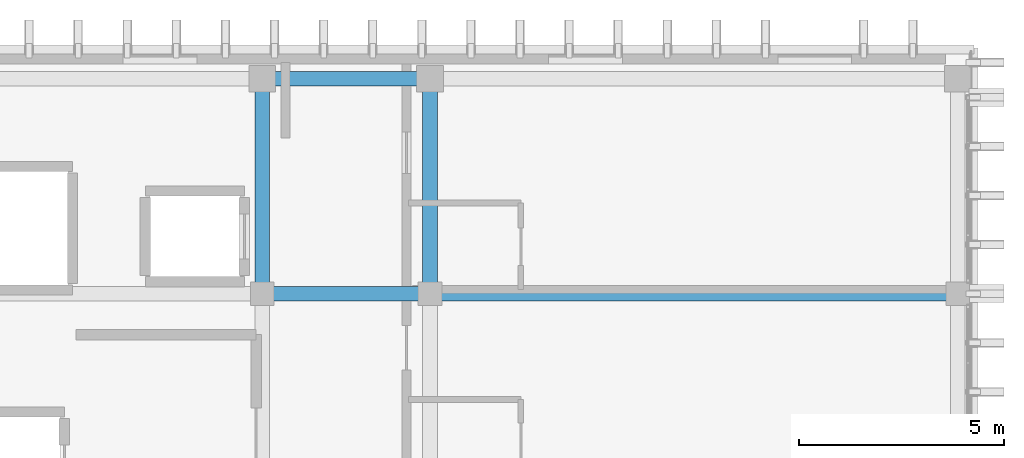
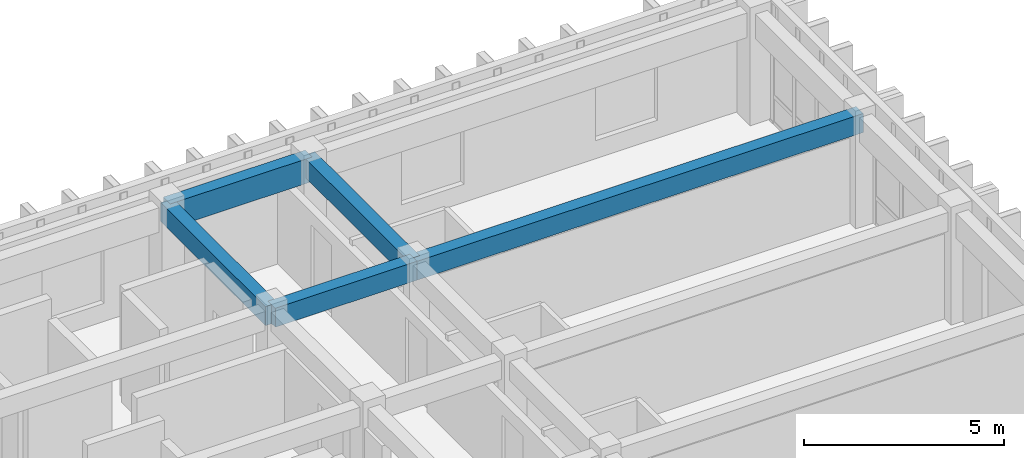
# One storey, part 36 of 49: 5 beams.
"""IFC4 building model written with IfcOpenShell, lengths in metres."""

from ifc_helpers import new_model, si_unit, direction, frame, origin, origin_2d, place, context, subcontext, project, spatial, rectangle, extrude, material, material_profile, profile_set, type_object, element, save


model = new_model("IFC4")

# Units and contexts
model_context = context("Model", 3, precision=1e-05, world=origin(), true_north=direction((0.0, 1.0)))
body_context = subcontext(model_context, "Body", "Model", "MODEL_VIEW")
ifc_project = project(units=[si_unit("LENGTHUNIT", "METRE"), si_unit("AREAUNIT", "SQUARE_METRE"), si_unit("VOLUMEUNIT", "CUBIC_METRE"), si_unit("PLANEANGLEUNIT", "RADIAN"), si_unit("MASSUNIT", "GRAM", prefix="KILO")], contexts=[model_context])

# Site, building, storey
site_placement = place(None, origin())
site = spatial("IfcSite", under=ifc_project, at=site_placement, CompositionType="ELEMENT")
building_placement = place(site_placement, origin())
building = spatial("IfcBuilding", under=site, at=building_placement, Name="Nakhvara Creek Congress Hotel", CompositionType="ELEMENT")
storey_placement = place(building_placement, frame((0.0, 0.0, 39.0)))
storey = spatial("IfcBuildingStorey", under=building, at=storey_placement, Name="L09", CompositionType="ELEMENT", Elevation=39.0)

# Beams
ifc_material = material(Name="Concrete C40/50", Category="concrete")
ifc_material_profile_1 = material_profile(ifc_material, rectangle(XDim=0.360107421875, YDim=0.580078125, at=origin_2d()), Name="RC-BM 360x580", Category="LoadBearing")
ifc_profile_set_1 = profile_set([ifc_material_profile_1], Name="Concrete C40/50")
beam_type_1 = type_object("IfcBeamType", Name="BM-RC-360X580", PredefinedType="BEAM", material=ifc_profile_set_1)
for number, where, z_axis, x_axis, name in (
    (1, (162.35009765625, 120.0, 3.070068359375), (0.0, 1.0, 0.0), (-1.0, 0.0, 0.0), "Beam B09-L09-2574"),
    (2, (166.449951171875, 120.0, 3.070068359375), (0.0, 1.0, 0.0), (-1.0, 0.0, 0.0), "Beam B09-L09-2596"),
):
    element("IfcBeam", number, at=place(storey_placement, frame(where, z_axis=z_axis, x_axis=x_axis)), inside=storey, type_object=beam_type_1, Name=name, PredefinedType="BEAM", context=body_context, shape_type="SweptSolid", body=[
        extrude(rectangle(XDim=0.360107421875, YDim=0.580078125, at=origin_2d()), origin(), (0.0, 0.0, 1.0), 5.25),
    ])
beam_1_placement = place(storey_placement, frame((162.35009765625, 120.0, 3.070068359375), z_axis=(1.0, 0.0, 0.0), x_axis=(0.0, 1.0, 0.0)))
element("IfcBeam", 3, at=beam_1_placement, inside=storey, type_object=beam_type_1, Name="Beam B09-L09-2622", PredefinedType="BEAM", context=body_context, shape_type="SweptSolid", body=[
    extrude(rectangle(XDim=0.360107421875, YDim=0.580078125, at=origin_2d()), origin(), (0.0, 0.0, 1.0), 4.099853515625),
])
beam_2_placement = place(storey_placement, frame((166.449951171875, 120.0, 3.070068359375), z_axis=(1.0, 0.0, 0.0), x_axis=(0.0, 1.0, 0.0)))
element("IfcBeam", 4, at=beam_2_placement, inside=storey, type_object=beam_type_1, Name="Beam B09-L09-2629", PredefinedType="BEAM", context=body_context, shape_type="SweptSolid", body=[
    extrude(rectangle(XDim=0.360107421875, YDim=0.580078125, at=origin_2d()), origin(), (0.0, 0.0, 1.0), 12.900146484375),
])
ifc_material_profile_2 = material_profile(ifc_material, rectangle(XDim=0.35009765625, YDim=0.75, at=origin_2d()), Name="RC-SPANDREL 350x750", Category="LoadBearing")
ifc_profile_set_2 = profile_set([ifc_material_profile_2], Name="Concrete C40/50")
beam_type_2 = type_object("IfcBeamType", Name="BM-SPN-350X750", PredefinedType="SPANDREL", material=ifc_profile_set_2)
beam_3_placement = place(storey_placement, frame((162.35009765625, 125.25, 2.985107421875), z_axis=(1.0, 0.0, 0.0), x_axis=(0.0, 1.0, 0.0)))
element("IfcBeam", 5, at=beam_3_placement, inside=storey, type_object=beam_type_2, Name="Beam SP1-L09-2573", PredefinedType="SPANDREL", context=body_context, shape_type="SweptSolid", body=[
    extrude(rectangle(XDim=0.35009765625, YDim=0.75, at=origin_2d()), origin(), (0.0, 0.0, 1.0), 4.099853515625),
])

save(model, "model.ifc")
